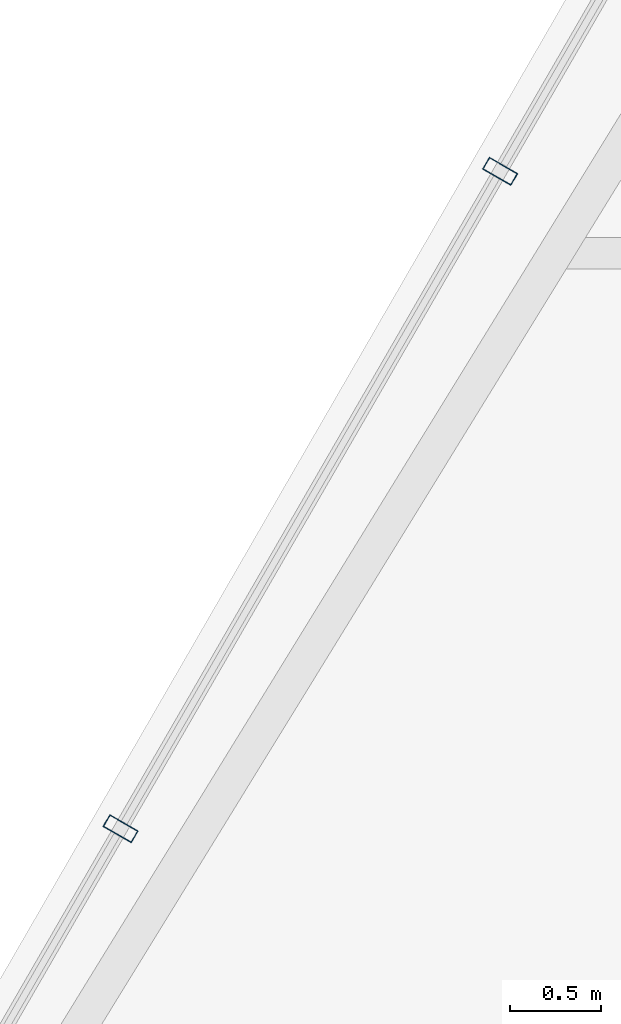
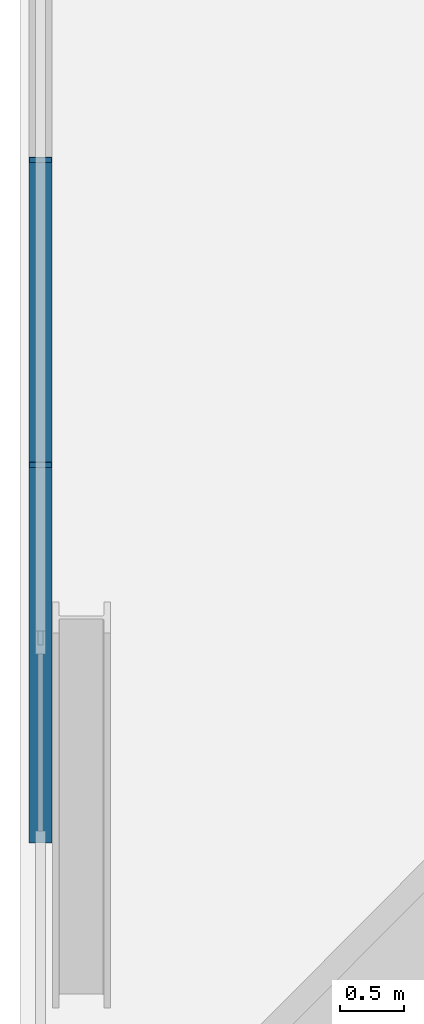
# One storey, part 13 of 35: 2 members, 1 element without a shape of its own.
"""IFC4 building model written with IfcOpenShell, lengths in metres."""

from ifc_helpers import new_model, si_unit, direction, frame, origin, origin_2d, place, context, subcontext, project, spatial, hollow_rectangle, extrude, material, layer, layer_set, material_profile, profile_set, type_object, element, aggregate, save


model = new_model("IFC4")

# Units and contexts
model_context = context("Model", 3, precision=1e-05, world=origin(), true_north=direction((0.0, 1.0)))
body_context = subcontext(model_context, "Body", "Model", "MODEL_VIEW")
ifc_project = project(units=[si_unit("LENGTHUNIT", "METRE"), si_unit("AREAUNIT", "SQUARE_METRE"), si_unit("VOLUMEUNIT", "CUBIC_METRE"), si_unit("PLANEANGLEUNIT", "RADIAN"), si_unit("MASSUNIT", "GRAM", prefix="KILO")], contexts=[model_context])

# Site, building, storey
site_placement = place(None, origin())
site = spatial("IfcSite", under=ifc_project, at=site_placement, CompositionType="ELEMENT")
building_placement = place(site_placement, origin())
building = spatial("IfcBuilding", under=site, at=building_placement, Name="Ndaravel Arena Tower", CompositionType="ELEMENT")
storey_placement = place(building_placement, frame((0.0, 0.0, 176.39990234375)))
storey = spatial("IfcBuildingStorey", under=building, at=storey_placement, Name="L42", CompositionType="ELEMENT", Elevation=176.39990234375)

# Curtain wall, members
ifc_material_1 = material(Name="Aluminium", Category="aluminium")
ifc_layer = layer(ifc_material_1, 0.179931640625)
ifc_layer_set = layer_set([ifc_layer], Name="Aluminium")
curtain_wall_type = type_object("IfcCurtainWallType", Name="CW-SYS-03", PredefinedType="NOTDEFINED", material=ifc_layer_set)
curtain_wall_placement = place(storey_placement, origin())
curtain_wall = element("IfcCurtainWall", 1, at=curtain_wall_placement, inside=storey, type_object=curtain_wall_type, Name="L42 Faceted Crystal Curtain Wall CW-L42-E05", PredefinedType="NOTDEFINED")
ifc_material_2 = material(Name="Aluminium", Category="aluminium")
ifc_material_profile = material_profile(ifc_material_2, hollow_rectangle(XDim=0.074951171875, YDim=0.179931640625, WallThickness=0.00390625, at=origin_2d()), Name="CW MULLION 75x180x4")
ifc_profile_set = profile_set([ifc_material_profile], Name="Aluminium")
member_type = type_object("IfcMemberType", Name="MEM-CW-MUL180", PredefinedType="MULLION", material=ifc_profile_set)
member_1_placement = place(storey_placement, frame((30.74658203125, 35.44970703125, 0.0), z_axis=(0.0, 0.0, 1.0), x_axis=(-0.5, -0.866025403784, 0.0)))
member_1 = element("IfcMember", 2, at=member_1_placement, type_object=member_type, Name="CW-L42-E05 Mullion 03", PredefinedType="MULLION", context=body_context, shape_type="SweptSolid", body=[
    extrude(hollow_rectangle(XDim=0.074951171875, YDim=0.179931640625, WallThickness=0.00390625, at=origin_2d()), origin(), (0.0, 0.0, 1.0), 3.580078125),
])
member_2_placement = place(storey_placement, frame((28.668701171875, 31.850341796875, 0.0), z_axis=(0.0, 0.0, 1.0), x_axis=(-0.5, -0.866025403784, 0.0)))
member_2 = element("IfcMember", 3, at=member_2_placement, type_object=member_type, Name="CW-L42-E05 Mullion 04", PredefinedType="MULLION", context=body_context, shape_type="SweptSolid", body=[
    extrude(hollow_rectangle(XDim=0.074951171875, YDim=0.179931640625, WallThickness=0.00390625, at=origin_2d()), origin(), (0.0, 0.0, 1.0), 3.580078125),
])
aggregate(curtain_wall, [member_1, member_2])

save(model, "model.ifc")
